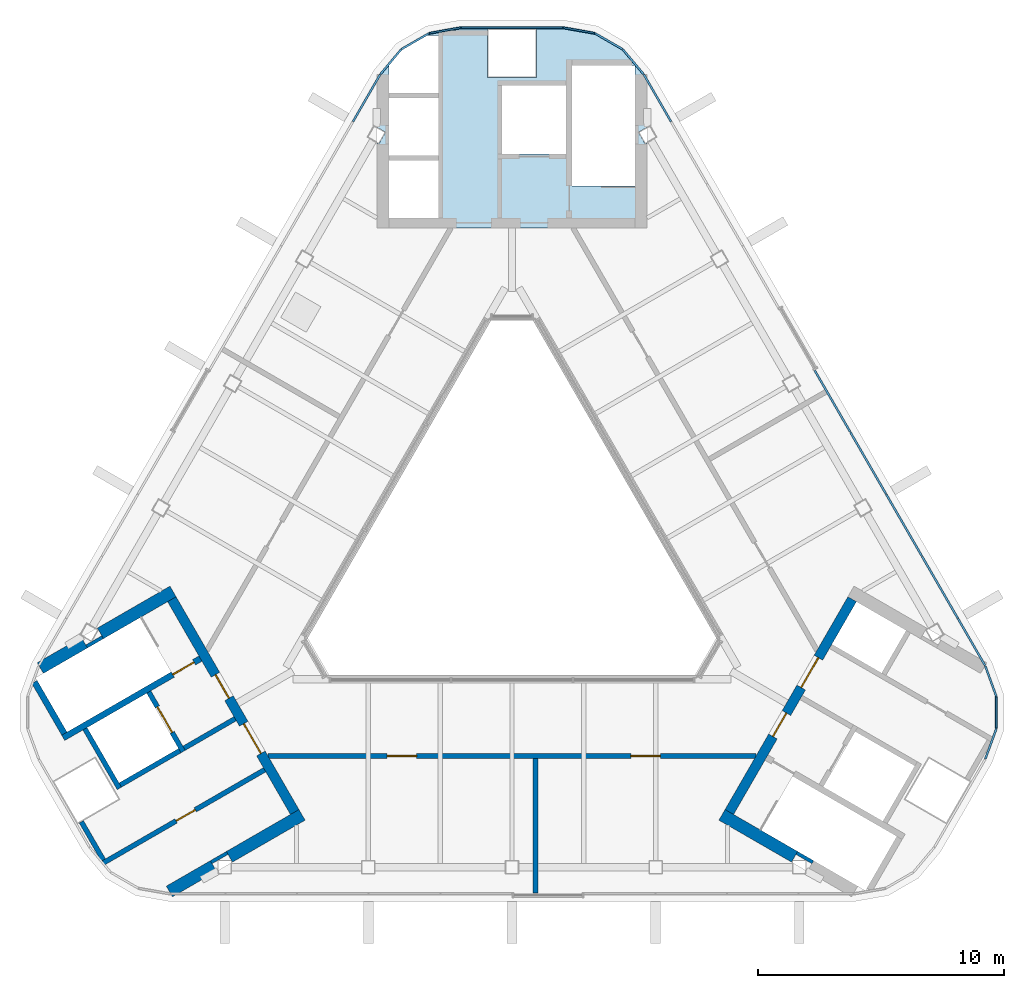
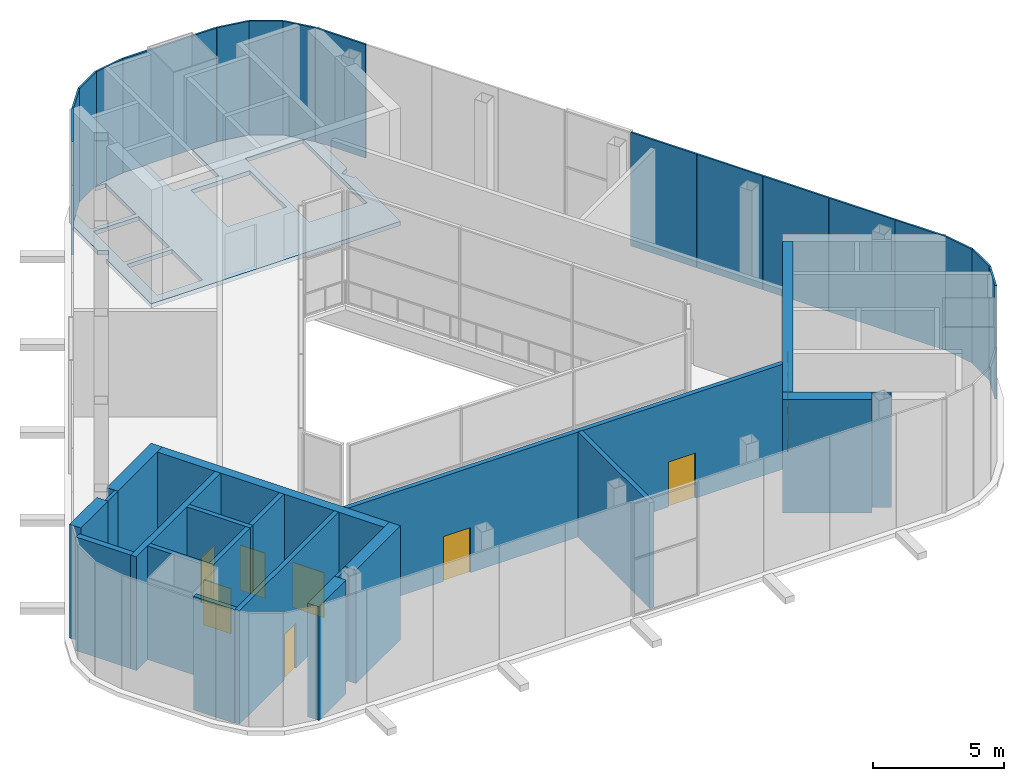
# One storey, part 6 of 9: 20 walls, 17 plates, 9 doors, 1 slab, 9 openings.
"""IFC4 building model written with IfcOpenShell, lengths in metres."""

from ifc_helpers import new_model, si_unit, direction, frame, frame_2d, origin, origin_2d, place, context, subcontext, project, spatial, polyline, rectangle, outline, extrude, material, layer, layer_set, type_object, element, fill, save


model = new_model("IFC4")

# Units and contexts
model_context = context("Model", 3, precision=1e-05, world=origin(), true_north=direction((0.0, 1.0)))
body_context = subcontext(model_context, "Body", "Model", "MODEL_VIEW")
ifc_project = project(units=[si_unit("LENGTHUNIT", "METRE"), si_unit("AREAUNIT", "SQUARE_METRE"), si_unit("VOLUMEUNIT", "CUBIC_METRE"), si_unit("PLANEANGLEUNIT", "RADIAN"), si_unit("MASSUNIT", "GRAM", prefix="KILO")], contexts=[model_context])

# Site, building, storey
site_placement = place(None, origin())
site = spatial("IfcSite", under=ifc_project, at=site_placement, CompositionType="ELEMENT")
building_placement = place(site_placement, origin())
building = spatial("IfcBuilding", under=site, at=building_placement, Name="Apuvela Tower Hotel", CompositionType="ELEMENT")
storey_placement = place(building_placement, frame((0.0, 0.0, 343.300048828125)))
storey = spatial("IfcBuildingStorey", under=building, at=storey_placement, Name="R-1 ROOF", CompositionType="ELEMENT", Elevation=343.300048828125)

# Slab
ifc_material_1 = material(Name="Concrete C50/60", Category="concrete")
ifc_layer_1 = layer(ifc_material_1, 0.199951171875)
ifc_layer_set_1 = layer_set([ifc_layer_1], Name="COR-FLOOR-200")
slab_type = type_object("IfcSlabType", Name="COR-FLOOR-200", PredefinedType="FLOOR", material=ifc_layer_set_1)
slab_placement = place(storey_placement, frame((0.0, 0.0, -0.199951171875)))
element("IfcSlab", 1, at=slab_placement, inside=storey, type_object=slab_type, Name="Core floor N", PredefinedType="FLOOR", context=body_context, shape_type="SweptSolid", body=[
    extrude(outline(polyline([(5.4208984375, 16.31298828125), (5.14599609375, 16.789306640625), (5.5, 16.993896484375), (5.5, 18.826171875), (5.330322265625, 19.119873046875), (4.481201171875, 20.1318359375), (3.364013671875, 20.777099609375), (2.06298828125, 21.00634765625), (1.0, 21.00634765625), (1.0, 19.00634765625), (-1.0, 19.00634765625), (-1.0, 21.00634765625), (-2.06298828125, 21.00634765625), (-3.364013671875, 20.777099609375), (-3.462646484375, 20.719970703125), (-3.0, 20.719970703125), (-3.0, 18.3798828125), (-5.0, 18.3798828125), (-5.0, 19.513671875), (-5.330322265625, 19.119873046875), (-5.5, 18.826171875), (-5.5, 16.993896484375), (-5.14599609375, 16.789306640625), (-5.4208984375, 16.31298828125), (-5.5, 16.358642578125), (-5.5, 12.89990234375), (5.5, 12.89990234375), (5.5, 16.358642578125), (5.4208984375, 16.31298828125)]), holes=[polyline([(-3.0, 13.300048828125), (-5.0, 13.300048828125), (-5.0, 15.639892578125), (-3.0, 15.639892578125), (-3.0, 13.300048828125)]), polyline([(-3.0, 15.840087890625), (-5.0, 15.840087890625), (-5.0, 18.179931640625), (-3.0, 18.179931640625), (-3.0, 15.840087890625)]), polyline([(5.0, 14.60595703125), (2.449951171875, 14.60595703125), (2.449951171875, 19.5), (5.0, 19.5), (5.0, 14.60595703125)]), polyline([(2.199951171875, 18.699951171875), (2.199951171875, 15.89990234375), (-0.39990234375, 15.89990234375), (-0.39990234375, 18.699951171875), (2.199951171875, 18.699951171875)])]), origin(), (0.0, 0.0, 1.0), 0.199951171875),
])

# Plates
ifc_material_2 = material(Name="Aluminium 6063-T6, black anodised perforated panel", Category="aluminium")
ifc_layer_2 = layer(ifc_material_2, 0.080078125)
ifc_layer_set_2 = layer_set([ifc_layer_2], Name="ENV-CROWN-SCREEN-80")
plate_type = type_object("IfcPlateType", Name="ENV-CROWN-SCREEN-80", PredefinedType="SHEET", material=ifc_layer_set_2)
plate_1_placement = place(storey_placement, frame((3.942626953125, 20.489013671875, 0.0), z_axis=(0.0, 0.0, 1.0), x_axis=(-0.866025403784, 0.5, 0.0)))
element("IfcPlate", 2, at=plate_1_placement, inside=storey, type_object=plate_type, Name="Crown screen 1", PredefinedType="SHEET", context=body_context, shape_type="SweptSolid", body=[
    extrude(rectangle(XDim=1.2841796875, YDim=0.080078125, at=origin_2d()), origin(), (0.0, 0.0, 1.0), 5.300048828125),
])
plate_2_placement = place(storey_placement, frame((2.72216796875, 20.930908203125, 0.0), z_axis=(0.0, 0.0, 1.0), x_axis=(-0.984807753012, 0.173648177667, 0.0)))
element("IfcPlate", 3, at=plate_2_placement, inside=storey, type_object=plate_type, Name="Crown screen 2", PredefinedType="SHEET", context=body_context, shape_type="SweptSolid", body=[
    extrude(rectangle(XDim=1.311767578125, YDim=0.080078125, at=origin_2d()), origin(), (0.0, 0.0, 1.0), 5.300048828125),
])
plate_3_placement = place(storey_placement, frame((0.0, 21.04638671875, 0.0), z_axis=(0.0, 0.0, 1.0), x_axis=(-1.0, 0.0, 0.0)))
element("IfcPlate", 4, at=plate_3_placement, inside=storey, type_object=plate_type, Name="Crown screen 3", PredefinedType="SHEET", context=body_context, shape_type="SweptSolid", body=[
    extrude(rectangle(XDim=4.11279296875, YDim=0.080078125, at=origin_2d()), origin(), (0.0, 0.0, 1.0), 5.300048828125),
])
plate_4_placement = place(storey_placement, frame((-2.72216796875, 20.930908203125, 0.0), z_axis=(0.0, 0.0, 1.0), x_axis=(-0.984807753012, -0.173648177667, 0.0)))
element("IfcPlate", 5, at=plate_4_placement, inside=storey, type_object=plate_type, Name="Crown screen 4", PredefinedType="SHEET", context=body_context, shape_type="SweptSolid", body=[
    extrude(rectangle(XDim=1.311767578125, YDim=0.080078125, at=origin_2d()), origin(), (0.0, 0.0, 1.0), 5.300048828125),
])
plate_5_placement = place(storey_placement, frame((-3.942626953125, 20.489013671875, 0.0), z_axis=(0.0, 0.0, 1.0), x_axis=(-0.866025403784, -0.5, 0.0)))
element("IfcPlate", 6, at=plate_5_placement, inside=storey, type_object=plate_type, Name="Crown screen 5", PredefinedType="SHEET", context=body_context, shape_type="SweptSolid", body=[
    extrude(rectangle(XDim=1.2841796875, YDim=0.080078125, at=origin_2d()), origin(), (0.0, 0.0, 1.0), 5.300048828125),
])
plate_6_placement = place(storey_placement, frame((-4.935302734375, 19.653076171875, 0.0), z_axis=(0.0, 0.0, 1.0), x_axis=(-0.642787609687, -0.766044443119, 0.0)))
element("IfcPlate", 7, at=plate_6_placement, inside=storey, type_object=plate_type, Name="Crown screen 6", PredefinedType="SHEET", context=body_context, shape_type="SweptSolid", body=[
    extrude(rectangle(XDim=1.311767578125, YDim=0.080078125, at=origin_2d()), origin(), (0.0, 0.0, 1.0), 5.300048828125),
])
plate_7_placement = place(storey_placement, frame((-5.920166015625, 18.178466796875, 0.0), z_axis=(0.0, 0.0, 1.0), x_axis=(-0.5, -0.866025403784, 0.0)))
element("IfcPlate", 8, at=plate_7_placement, inside=storey, type_object=plate_type, Name="Crown screen 7", PredefinedType="SHEET", context=body_context, shape_type="SweptSolid", body=[
    extrude(rectangle(XDim=2.20751953125, YDim=0.080078125, at=origin_2d()), origin(), (0.0, 0.0, 1.0), 5.300048828125),
])
plate_8_placement = place(storey_placement, frame((19.487548828125, -8.10791015625, 0.0), z_axis=(0.0, 0.0, 1.0), x_axis=(0.342020143326, 0.939692620786, 0.0)))
element("IfcPlate", 9, at=plate_8_placement, inside=storey, type_object=plate_type, Name="Crown screen 38", PredefinedType="SHEET", context=body_context, shape_type="SweptSolid", body=[
    extrude(rectangle(XDim=1.311767578125, YDim=0.080078125, at=origin_2d()), origin(), (0.0, 0.0, 1.0), 5.300048828125),
])
plate_9_placement = place(storey_placement, frame((19.71533203125, -6.830078125, 0.0), z_axis=(0.0, 0.0, 1.0), x_axis=(0.0, 1.0, 0.0)))
element("IfcPlate", 10, at=plate_9_placement, inside=storey, type_object=plate_type, Name="Crown screen 39", PredefinedType="SHEET", context=body_context, shape_type="SweptSolid", body=[
    extrude(rectangle(XDim=1.2841796875, YDim=0.080078125, at=origin_2d()), origin(), (0.0, 0.0, 1.0), 5.300048828125),
])
plate_10_placement = place(storey_placement, frame((19.487548828125, -5.552490234375, 0.0), z_axis=(0.0, 0.0, 1.0), x_axis=(-0.342020143326, 0.939692620786, 0.0)))
element("IfcPlate", 11, at=plate_10_placement, inside=storey, type_object=plate_type, Name="Crown screen 40", PredefinedType="SHEET", context=body_context, shape_type="SweptSolid", body=[
    extrude(rectangle(XDim=1.311767578125, YDim=0.080078125, at=origin_2d()), origin(), (0.0, 0.0, 1.0), 5.300048828125),
])
plate_11_placement = place(storey_placement, frame((18.702880859375, -3.962158203125, 0.0), z_axis=(0.0, 0.0, 1.0), x_axis=(-0.5, 0.866025403784, 0.0)))
element("IfcPlate", 12, at=plate_11_placement, inside=storey, type_object=plate_type, Name="Crown screen 41", PredefinedType="SHEET", context=body_context, shape_type="SweptSolid", body=[
    extrude(rectangle(XDim=2.20751953125, YDim=0.080078125, at=origin_2d()), origin(), (0.0, 0.0, 1.0), 5.300048828125),
])
for number, where, z_axis, x_axis, name in (
    (13, (17.4169921875, -1.734619140625, 0.0), (0.0, 0.0, 1.0), (-0.5, 0.866025403784, 0.0), "Crown screen 42"),
    (14, (15.958251953125, 0.7919921875, 0.0), (0.0, 0.0, 1.0), (-0.5, 0.866025403784, 0.0), "Crown screen 43"),
    (15, (14.49951171875, 3.318359375, 0.0), (0.0, 0.0, 1.0), (-0.5, 0.866025403784, 0.0), "Crown screen 44"),
    (16, (13.041015625, 5.844970703125, 0.0), (0.0, 0.0, 1.0), (-0.5, 0.866025403784, 0.0), "Crown screen 45"),
):
    element("IfcPlate", number, at=place(storey_placement, frame(where, z_axis=z_axis, x_axis=x_axis)), inside=storey, type_object=plate_type, Name=name, PredefinedType="SHEET", context=body_context, shape_type="SweptSolid", body=[
        extrude(rectangle(XDim=2.897216796875, YDim=0.080078125, at=origin_2d()), origin(), (0.0, 0.0, 1.0), 5.300048828125),
    ])
plate_12_placement = place(storey_placement, frame((5.920166015625, 18.178466796875, 0.0), z_axis=(0.0, 0.0, 1.0), x_axis=(-0.5, 0.866025403784, 0.0)))
element("IfcPlate", 17, at=plate_12_placement, inside=storey, type_object=plate_type, Name="Crown screen 50", PredefinedType="SHEET", context=body_context, shape_type="SweptSolid", body=[
    extrude(rectangle(XDim=2.20751953125, YDim=0.080078125, at=origin_2d()), origin(), (0.0, 0.0, 1.0), 5.300048828125),
])
plate_13_placement = place(storey_placement, frame((4.935302734375, 19.653076171875, 0.0), z_axis=(0.0, 0.0, 1.0), x_axis=(-0.642787609687, 0.766044443119, 0.0)))
element("IfcPlate", 18, at=plate_13_placement, inside=storey, type_object=plate_type, Name="Crown screen 51", PredefinedType="SHEET", context=body_context, shape_type="SweptSolid", body=[
    extrude(rectangle(XDim=1.311767578125, YDim=0.080078125, at=origin_2d()), origin(), (0.0, 0.0, 1.0), 5.300048828125),
])

# Walls
ifc_layer_3 = layer(ifc_material_1, 0.139892578125)
ifc_layer_set_3 = layer_set([ifc_layer_3], Name="COR-WALL-CORE-140")
wall_type_1 = type_object("IfcWallType", Name="COR-WALL-CORE-140", PredefinedType="SHEAR", material=ifc_layer_set_3)
wall_1_placement = place(storey_placement, frame((-16.66259765625, -3.765869140625, 0.0), z_axis=(0.0, 0.0, 1.0), x_axis=(-0.86603400694, -0.499985098601, 0.0)))
element("IfcWall", 19, at=wall_1_placement, inside=storey, type_object=wall_type_1, Name="Core wall SW", PredefinedType="SHEAR", context=body_context, shape_type="SweptSolid", body=[
    extrude(rectangle(XDim=0.7509765625, YDim=0.139892578125, at=frame_2d((0.37548828125, 0.0))), origin(), (0.0, 0.0, 1.0), 5.300048828125),
])
for number, where, z_axis, x_axis, name in (
    (20, (-11.592529296875, -12.54736328125, 0.0), (0.0, 0.0, 1.0), (-0.866115239748, -0.499844367254, 0.0), "Core wall SW"),
    (21, (11.592529296875, -12.54736328125, 0.0), (0.0, 0.0, 1.0), (0.866115239748, -0.499844367254, 0.0), "Core wall SE"),
):
    element("IfcWall", number, at=place(storey_placement, frame(where, z_axis=z_axis, x_axis=x_axis)), inside=storey, type_object=wall_type_1, Name=name, PredefinedType="SHEAR", context=body_context, shape_type="SweptSolid", body=[
        extrude(rectangle(XDim=0.751220703125, YDim=0.139892578125, at=frame_2d((0.37548828125, 0.0))), origin(), (0.0, 0.0, 1.0), 5.300048828125),
    ])

# Wall, openings, doors
ifc_layer_4 = layer(ifc_material_1, 0.39990234375)
ifc_layer_set_4 = layer_set([ifc_layer_4], Name="COR-WALL-CORE-400")
wall_type_2 = type_object("IfcWallType", Name="COR-WALL-CORE-400", PredefinedType="SHEAR", material=ifc_layer_set_4)
wall_2_placement = place(storey_placement, frame((-13.844970703125, -2.219970703125, 0.0), z_axis=(0.0, 0.0, 1.0), x_axis=(0.500004234368, -0.866022959057, 0.0)))
wall_2 = element("IfcWall", 22, at=wall_2_placement, inside=storey, type_object=wall_type_2, Name="Core wall SW", PredefinedType="SHEAR", context=body_context, shape_type="SweptSolid", body=[
    extrude(rectangle(XDim=10.0, YDim=0.39990234375, at=frame_2d((5.0, 0.0))), origin(), (0.0, 0.0, 1.0), 5.300048828125),
])
opening_1_placement = place(wall_2_placement, frame((3.550048828125, 0.0, 0.0)))
opening_1 = element("IfcOpeningElement", 23, at=opening_1_placement, cuts=wall_2, Name="Opening W-FD", PredefinedType="OPENING", context=body_context, shape_type="SweptSolid", body=[
    extrude(rectangle(XDim=1.10009765625, YDim=2.10009765625, at=frame_2d((0.550048828125, 1.050048828125))), frame((0.0, 0.2099609375, 0.0), z_axis=(0.0, -1.0, 0.0), x_axis=(1.0, 0.0, 0.0)), (0.0, 0.0, 1.0), 0.419921875),
])
opening_2_placement = place(wall_2_placement, frame((5.85009765625, 0.0, 0.0)))
opening_2 = element("IfcOpeningElement", 24, at=opening_2_placement, cuts=wall_2, Name="Opening W-GD", PredefinedType="OPENING", context=body_context, shape_type="SweptSolid", body=[
    extrude(rectangle(XDim=1.39990234375, YDim=2.10009765625, at=frame_2d((0.699951171875, 1.050048828125))), frame((0.0, 0.2099609375, 0.0), z_axis=(0.0, -1.0, 0.0), x_axis=(1.0, 0.0, 0.0)), (0.0, 0.0, 1.0), 0.419921875),
])
ifc_material_3 = material(Name="Steel fire door, powder coated", Category="steel")
door_type_1 = type_object("IfcDoorType", Name="COR-FD-1100", OperationType="NOTDEFINED", PredefinedType="DOOR", material=ifc_material_3)
door_1_placement = place(opening_1_placement, frame((1.10009765625, 0.0, 0.0), z_axis=(0.0, 0.0, 1.0), x_axis=(-1.0, 0.0, 0.0)))
door_1 = element("IfcDoor", 25, at=door_1_placement, inside=storey, type_object=door_type_1, Name="Firefighting lobby door W-FD", OperationType="SINGLE_SWING_LEFT", OverallHeight=2.10009765625, OverallWidth=1.10009765625, PredefinedType="DOOR", context=body_context, shape_type="SweptSolid", body=[
    extrude(rectangle(XDim=1.10009765625, YDim=2.10009765625, at=frame_2d((0.550048828125, 1.050048828125))), frame((0.0, 0.02490234375, 0.0), z_axis=(0.0, -1.0, 0.0), x_axis=(1.0, 0.0, 0.0)), (0.0, 0.0, 1.0), 0.050048828125),
])
fill(opening_1, door_1)
ifc_material_4 = material(Name="Glazed steel fire door", Category="steel")
door_type_2 = type_object("IfcDoorType", Name="COR-GD-1400", OperationType="DOUBLE_DOOR_SINGLE_SWING", PredefinedType="DOOR", material=ifc_material_4)
door_2_placement = place(opening_2_placement, frame((1.39990234375, 0.0, 0.0), z_axis=(0.0, 0.0, 1.0), x_axis=(-1.0, 0.0, 0.0)))
door_2 = element("IfcDoor", 26, at=door_2_placement, inside=storey, type_object=door_type_2, Name="Lift lobby door W-GD", OperationType="DOUBLE_DOOR_SINGLE_SWING", OverallHeight=2.10009765625, OverallWidth=1.39990234375, PredefinedType="DOOR", context=body_context, shape_type="SweptSolid", body=[
    extrude(rectangle(XDim=1.39990234375, YDim=2.10009765625, at=frame_2d((0.699951171875, 1.050048828125))), frame((0.0, 0.02490234375, 0.0), z_axis=(0.0, -1.0, 0.0), x_axis=(1.0, 0.0, 0.0)), (0.0, 0.0, 1.0), 0.050048828125),
])
fill(opening_2, door_2)

wall_3_placement = place(storey_placement, frame((8.844970703125, -10.880126953125, 0.0), z_axis=(0.0, 0.0, 1.0), x_axis=(0.500004234368, 0.866022959057, 0.0)))
wall_3 = element("IfcWall", 27, at=wall_3_placement, inside=storey, type_object=wall_type_2, Name="Core wall SE", PredefinedType="SHEAR", context=body_context, shape_type="SweptSolid", body=[
    extrude(rectangle(XDim=10.0, YDim=0.39990234375, at=frame_2d((5.0, 0.0))), origin(), (0.0, 0.0, 1.0), 5.300048828125),
])
opening_3_placement = place(wall_3_placement, frame((3.550048828125, 0.0, 0.0)))
opening_3 = element("IfcOpeningElement", 28, at=opening_3_placement, cuts=wall_3, Name="Opening E-FD", PredefinedType="OPENING", context=body_context, shape_type="SweptSolid", body=[
    extrude(rectangle(XDim=1.10009765625, YDim=2.10009765625, at=frame_2d((0.550048828125, 1.050048828125))), frame((0.0, 0.2099609375, 0.0), z_axis=(0.0, -1.0, 0.0), x_axis=(1.0, 0.0, 0.0)), (0.0, 0.0, 1.0), 0.419921875),
])
opening_4_placement = place(wall_3_placement, frame((5.85009765625, 0.0, 0.0)))
opening_4 = element("IfcOpeningElement", 29, at=opening_4_placement, cuts=wall_3, Name="Opening E-GD", PredefinedType="OPENING", context=body_context, shape_type="SweptSolid", body=[
    extrude(rectangle(XDim=1.39990234375, YDim=2.10009765625, at=frame_2d((0.699951171875, 1.050048828125))), frame((0.0, 0.2099609375, 0.0), z_axis=(0.0, -1.0, 0.0), x_axis=(1.0, 0.0, 0.0)), (0.0, 0.0, 1.0), 0.419921875),
])
door_3_placement = place(opening_3_placement, frame((1.10009765625, 0.0, 0.0), z_axis=(0.0, 0.0, 1.0), x_axis=(-1.0, 0.0, 0.0)))
door_3 = element("IfcDoor", 30, at=door_3_placement, inside=storey, type_object=door_type_1, Name="Firefighting lobby door E-FD", OperationType="SINGLE_SWING_LEFT", OverallHeight=2.10009765625, OverallWidth=1.10009765625, PredefinedType="DOOR", context=body_context, shape_type="SweptSolid", body=[
    extrude(rectangle(XDim=1.10009765625, YDim=2.10009765625, at=frame_2d((0.550048828125, 1.050048828125))), frame((0.0, 0.02490234375, 0.0), z_axis=(0.0, -1.0, 0.0), x_axis=(1.0, 0.0, 0.0)), (0.0, 0.0, 1.0), 0.050048828125),
])
fill(opening_3, door_3)
door_4_placement = place(opening_4_placement, frame((1.39990234375, 0.0, 0.0), z_axis=(0.0, 0.0, 1.0), x_axis=(-1.0, 0.0, 0.0)))
door_4 = element("IfcDoor", 31, at=door_4_placement, inside=storey, type_object=door_type_2, Name="Lift lobby door E-GD", OperationType="DOUBLE_DOOR_SINGLE_SWING", OverallHeight=2.10009765625, OverallWidth=1.39990234375, PredefinedType="DOOR", context=body_context, shape_type="SweptSolid", body=[
    extrude(rectangle(XDim=1.39990234375, YDim=2.10009765625, at=frame_2d((0.699951171875, 1.050048828125))), frame((0.0, 0.02490234375, 0.0), z_axis=(0.0, -1.0, 0.0), x_axis=(1.0, 0.0, 0.0)), (0.0, 0.0, 1.0), 0.050048828125),
])
fill(opening_4, door_4)

# Walls
ifc_layer_5 = layer(ifc_material_1, 0.5)
ifc_layer_set_5 = layer_set([ifc_layer_5], Name="COR-WALL-CORE-500")
wall_type_3 = type_object("IfcWallType", Name="COR-WALL-CORE-500", PredefinedType="SHEAR", material=ifc_layer_set_5)
wall_4_placement = place(storey_placement, frame((-13.796630859375, -1.9033203125, 0.0), z_axis=(0.0, 0.0, 1.0), x_axis=(-0.866024775297, -0.500001088571, 0.0)))
element("IfcWall", 32, at=wall_4_placement, inside=storey, type_object=wall_type_3, Name="Core wall SW", PredefinedType="SHEAR", context=body_context, shape_type="SweptSolid", body=[
    extrude(rectangle(XDim=3.4130859375, YDim=0.5, at=frame_2d((1.70654296875, 0.0))), origin(), (0.0, 0.0, 1.0), 5.300048828125),
])
wall_5_placement = place(storey_placement, frame((-17.403076171875, -3.985595703125, 0.0), z_axis=(0.0, 0.0, 1.0), x_axis=(-0.866044274939, -0.499967312778, 0.0)))
element("IfcWall", 33, at=wall_5_placement, inside=storey, type_object=wall_type_3, Name="Core wall SW", PredefinedType="SHEAR", context=body_context, shape_type="SweptSolid", body=[
    extrude(rectangle(XDim=2.071533203125, YDim=0.5, at=frame_2d((1.03564453125, 0.0))), origin(), (0.0, 0.0, 1.0), 5.300048828125),
])
wall_6_placement = place(storey_placement, frame((-8.546630859375, -10.99658203125, 0.0), z_axis=(0.0, 0.0, 1.0), x_axis=(-0.866024775297, -0.500001088571, 0.0)))
element("IfcWall", 34, at=wall_6_placement, inside=storey, type_object=wall_type_3, Name="Core wall SW", PredefinedType="SHEAR", context=body_context, shape_type="SweptSolid", body=[
    extrude(rectangle(XDim=3.4130859375, YDim=0.5, at=frame_2d((1.70654296875, 0.0))), origin(), (0.0, 0.0, 1.0), 5.300048828125),
])
wall_7_placement = place(storey_placement, frame((-12.153076171875, -13.078857421875, 0.0), z_axis=(0.0, 0.0, 1.0), x_axis=(-0.866044274939, -0.499967312778, 0.0)))
element("IfcWall", 35, at=wall_7_placement, inside=storey, type_object=wall_type_3, Name="Core wall SW", PredefinedType="SHEAR", context=body_context, shape_type="SweptSolid", body=[
    extrude(rectangle(XDim=2.071533203125, YDim=0.5, at=frame_2d((1.03564453125, 0.0))), origin(), (0.0, 0.0, 1.0), 5.300048828125),
])
wall_8_placement = place(storey_placement, frame((8.546630859375, -10.99658203125, 0.0), z_axis=(0.0, 0.0, 1.0), x_axis=(0.866024775297, -0.500001088571, 0.0)))
element("IfcWall", 36, at=wall_8_placement, inside=storey, type_object=wall_type_3, Name="Core wall SE", PredefinedType="SHEAR", context=body_context, shape_type="SweptSolid", body=[
    extrude(rectangle(XDim=3.4130859375, YDim=0.5, at=frame_2d((1.70654296875, 0.0))), origin(), (0.0, 0.0, 1.0), 5.300048828125),
])
ifc_layer_6 = layer(ifc_material_1, 0.199951171875)
ifc_layer_set_6 = layer_set([ifc_layer_6], Name="COR-WALL-SHAFT-200")
wall_type_4 = type_object("IfcWallType", Name="COR-WALL-SHAFT-200", PredefinedType="SHEAR", material=ifc_layer_set_6)
wall_9_placement = place(storey_placement, frame((-17.38134765625, -7.49462890625, 0.0), z_axis=(0.0, 0.0, 1.0), x_axis=(0.500011755427, -0.866018616679, 0.0)))
element("IfcWall", 37, at=wall_9_placement, inside=storey, type_object=wall_type_4, Name="Shaft wall SW", PredefinedType="SHEAR", context=body_context, shape_type="SweptSolid", body=[
    extrude(rectangle(XDim=2.80029296875, YDim=0.199951171875, at=frame_2d((1.400146484375, 0.0))), origin(), (0.0, 0.0, 1.0), 5.300048828125),
])

# Wall, opening, door
wall_10_placement = place(storey_placement, frame((-14.783203125, -5.99462890625, 0.0), z_axis=(0.0, 0.0, 1.0), x_axis=(0.49994636267, -0.866056369097, 0.0)))
wall_10 = element("IfcWall", 38, at=wall_10_placement, inside=storey, type_object=wall_type_4, Name="Shaft wall SW", PredefinedType="SHEAR", context=body_context, shape_type="SweptSolid", body=[
    extrude(rectangle(XDim=2.800048828125, YDim=0.199951171875, at=frame_2d((1.39990234375, 0.0))), origin(), (0.0, 0.0, 1.0), 5.300048828125),
])
opening_5_placement = place(wall_10_placement, frame((0.699951171875, 0.0, 0.0)))
opening_5 = element("IfcOpeningElement", 39, at=opening_5_placement, cuts=wall_10, Name="Opening W-LD-FS2", PredefinedType="OPENING", context=body_context, shape_type="SweptSolid", body=[
    extrude(rectangle(XDim=1.199951171875, YDim=2.10009765625, at=frame_2d((0.60009765625, 1.050048828125))), frame((0.0, 0.10986328125, 0.0), z_axis=(0.0, -1.0, 0.0), x_axis=(1.0, 0.0, 0.0)), (0.0, 0.0, 1.0), 0.219970703125),
])
ifc_material_5 = material(Name="Stainless steel lift landing door", Category="steel")
door_type_3 = type_object("IfcDoorType", Name="COR-LD-1200", OperationType="DOUBLE_DOOR_SLIDING", PredefinedType="DOOR", material=ifc_material_5)
door_5_placement = place(opening_5_placement, origin())
door_5 = element("IfcDoor", 40, at=door_5_placement, inside=storey, type_object=door_type_3, Name="Lift landing door W-LD-FS2", OperationType="DOUBLE_DOOR_SLIDING", OverallHeight=2.10009765625, OverallWidth=1.199951171875, PredefinedType="DOOR", context=body_context, shape_type="SweptSolid", body=[
    extrude(rectangle(XDim=1.199951171875, YDim=2.10009765625, at=frame_2d((0.60009765625, 1.050048828125))), frame((0.0, 0.02490234375, 0.0), z_axis=(0.0, -1.0, 0.0), x_axis=(1.0, 0.0, 0.0)), (0.0, 0.0, 1.0), 0.050048828125),
])
fill(opening_5, door_5)

# Walls
wall_11_placement = place(storey_placement, frame((-13.519775390625, -8.383056640625, 0.0), z_axis=(0.0, 0.0, 1.0), x_axis=(-0.866034573852, -0.49998411664, 0.0)))
element("IfcWall", 41, at=wall_11_placement, inside=storey, type_object=wall_type_4, Name="Shaft wall SW", PredefinedType="SHEAR", context=body_context, shape_type="SweptSolid", body=[
    extrude(rectangle(XDim=2.7998046875, YDim=0.199951171875, at=frame_2d((1.39990234375, 0.0))), origin(), (0.0, 0.0, 1.0), 5.300048828125),
])
wall_12_placement = place(storey_placement, frame((-11.26806640625, -7.0830078125, 0.0), z_axis=(0.0, 0.0, 1.0), x_axis=(-0.866050077142, -0.499957262057, 0.0)))
element("IfcWall", 42, at=wall_12_placement, inside=storey, type_object=wall_type_4, Name="Shaft wall SW", PredefinedType="SHEAR", context=body_context, shape_type="SweptSolid", body=[
    extrude(rectangle(XDim=2.400146484375, YDim=0.199951171875, at=frame_2d((1.2001953125, 0.0))), origin(), (0.0, 0.0, 1.0), 5.300048828125),
])

# Wall, opening, door
wall_13_placement = place(storey_placement, frame((-10.068115234375, -9.16162109375, 0.0), z_axis=(0.0, 0.0, 1.0), x_axis=(-0.86602942914, -0.499993027815, 0.0)))
wall_13 = element("IfcWall", 43, at=wall_13_placement, inside=storey, type_object=wall_type_4, Name="Shaft wall SW", PredefinedType="SHEAR", context=body_context, shape_type="SweptSolid", body=[
    extrude(rectangle(XDim=7.576171875, YDim=0.199951171875, at=frame_2d((3.7880859375, 0.0))), origin(), (0.0, 0.0, 1.0), 5.300048828125),
])
opening_6_placement = place(wall_13_placement, frame((3.260009765625, 0.0, 0.0)))
opening_6 = element("IfcOpeningElement", 44, at=opening_6_placement, cuts=wall_13, Name="Opening W-RE1", PredefinedType="OPENING", context=body_context, shape_type="SweptSolid", body=[
    extrude(rectangle(XDim=0.89990234375, YDim=2.10009765625, at=frame_2d((0.449951171875, 1.050048828125))), frame((0.0, 0.10986328125, 0.0), z_axis=(0.0, -1.0, 0.0), x_axis=(1.0, 0.0, 0.0)), (0.0, 0.0, 1.0), 0.219970703125),
])
door_type_4 = type_object("IfcDoorType", Name="COR-DR-900", OperationType="NOTDEFINED", PredefinedType="DOOR", material=ifc_material_3)
door_6_placement = place(opening_6_placement, origin())
door_6 = element("IfcDoor", 45, at=door_6_placement, inside=storey, type_object=door_type_4, Name="Store door W-RE1", OperationType="SINGLE_SWING_LEFT", OverallHeight=2.10009765625, OverallWidth=0.89990234375, PredefinedType="DOOR", context=body_context, shape_type="SweptSolid", body=[
    extrude(rectangle(XDim=0.89990234375, YDim=2.10009765625, at=frame_2d((0.449951171875, 1.050048828125))), frame((0.0, 0.02490234375, 0.0), z_axis=(0.0, -1.0, 0.0), x_axis=(1.0, 0.0, 0.0)), (0.0, 0.0, 1.0), 0.050048828125),
])
fill(opening_6, door_6)

# Wall
wall_14_placement = place(storey_placement, frame((-17.530517578125, -11.27587890625, 0.0), z_axis=(0.0, 0.0, 1.0), x_axis=(0.499902469156, -0.866081705922, 0.0)))
element("IfcWall", 46, at=wall_14_placement, inside=storey, type_object=wall_type_4, Name="Shaft wall SW", PredefinedType="SHEAR", context=body_context, shape_type="SweptSolid", body=[
    extrude(rectangle(XDim=1.800048828125, YDim=0.199951171875, at=frame_2d((0.89990234375, 0.0))), origin(), (0.0, 0.0, 1.0), 5.300048828125),
])

# Wall, opening, door
ifc_layer_7 = layer(ifc_material_1, 0.25)
ifc_layer_set_7 = layer_set([ifc_layer_7], Name="COR-WALL-STAIR-250")
wall_type_5 = type_object("IfcWallType", Name="COR-WALL-STAIR-250", PredefinedType="SHEAR", material=ifc_layer_set_7)
wall_15_placement = place(storey_placement, frame((-12.6806640625, -4.636474609375, 0.0), z_axis=(0.0, 0.0, 1.0), x_axis=(-0.866021702275, -0.500006411147, 0.0)))
wall_15 = element("IfcWall", 47, at=wall_15_placement, inside=storey, type_object=wall_type_5, Name="Stair wall SW", PredefinedType="SHEAR", context=body_context, shape_type="SweptSolid", body=[
    extrude(rectangle(XDim=6.4501953125, YDim=0.25, at=frame_2d((3.22509765625, 0.0))), origin(), (0.0, 0.0, 1.0), 5.300048828125),
])
opening_7_placement = place(wall_15_placement, frame((0.300048828125, 0.0, 0.0)))
opening_7 = element("IfcOpeningElement", 48, at=opening_7_placement, cuts=wall_15, Name="Opening W-SD", PredefinedType="OPENING", context=body_context, shape_type="SweptSolid", body=[
    extrude(rectangle(XDim=1.0, YDim=2.10009765625, at=frame_2d((0.5, 1.050048828125))), frame((0.0, 0.135009765625, 0.0), z_axis=(0.0, -1.0, 0.0), x_axis=(1.0, 0.0, 0.0)), (0.0, 0.0, 1.0), 0.27001953125),
])
door_type_5 = type_object("IfcDoorType", Name="COR-SD-1000", OperationType="NOTDEFINED", PredefinedType="DOOR", material=ifc_material_3)
door_7_placement = place(opening_7_placement, frame((1.0, 0.0, 0.0), z_axis=(0.0, 0.0, 1.0), x_axis=(-1.0, 0.0, 0.0)))
door_7 = element("IfcDoor", 49, at=door_7_placement, inside=storey, type_object=door_type_5, Name="Stair door W-SD", OperationType="SINGLE_SWING_LEFT", OverallHeight=2.10009765625, OverallWidth=1.0, PredefinedType="DOOR", context=body_context, shape_type="SweptSolid", body=[
    extrude(rectangle(XDim=1.0, YDim=2.10009765625, at=frame_2d((0.5, 1.050048828125))), frame((0.0, 0.02490234375, 0.0), z_axis=(0.0, -1.0, 0.0), x_axis=(1.0, 0.0, 0.0)), (0.0, 0.0, 1.0), 0.050048828125),
])
fill(opening_7, door_7)

# Wall
wall_16_placement = place(storey_placement, frame((-19.435791015625, -5.586181640625, 0.0), z_axis=(0.0, 0.0, 1.0), x_axis=(0.500018134935, -0.866014933322, 0.0)))
element("IfcWall", 50, at=wall_16_placement, inside=storey, type_object=wall_type_5, Name="Stair wall SW", PredefinedType="SHEAR", context=body_context, shape_type="SweptSolid", body=[
    extrude(rectangle(XDim=2.43017578125, YDim=0.25, at=frame_2d((1.215087890625, 0.0))), origin(), (0.0, 0.0, 1.0), 5.300048828125),
])

# Wall, openings, doors
ifc_material_6 = material(Name="Fire-rated gypsum board partition on steel stud", Category="steel")
ifc_layer_8 = layer(ifc_material_6, 0.199951171875)
ifc_layer_set_8 = layer_set([ifc_layer_8], Name="SPC-WALL-CORRIDOR")
wall_type_6 = type_object("IfcWallType", Name="SPC-WALL-CORRIDOR", PredefinedType="PARTITIONING", material=ifc_layer_set_8)
wall_17_placement = place(storey_placement, frame((-9.930419921875, -8.60009765625, 0.0), z_axis=(0.0, 0.0, 1.0), x_axis=(1.0, 0.0, 0.0)))
wall_17 = element("IfcWall", 51, at=wall_17_placement, inside=storey, type_object=wall_type_6, Name="Wall RP-S-CW", PredefinedType="PARTITIONING", context=body_context, shape_type="SweptSolid", body=[
    extrude(rectangle(XDim=19.86083984375, YDim=0.199951171875, at=frame_2d((9.930419921875, 0.0))), origin(), (0.0, 0.0, 1.0), 4.89990234375),
])
opening_8_placement = place(wall_17_placement, frame((4.84619140625, 0.0, 0.0)))
opening_8 = element("IfcOpeningElement", 52, at=opening_8_placement, cuts=wall_17, Name="Opening RP-S05", PredefinedType="OPENING", context=body_context, shape_type="SweptSolid", body=[
    extrude(rectangle(XDim=1.199951171875, YDim=2.10009765625, at=frame_2d((0.60009765625, 1.050048828125))), frame((0.0, 0.10986328125, 0.0), z_axis=(0.0, -1.0, 0.0), x_axis=(1.0, 0.0, 0.0)), (0.0, 0.0, 1.0), 0.219970703125),
])
opening_9_placement = place(wall_17_placement, frame((14.764892578125, 0.0, 0.0)))
opening_9 = element("IfcOpeningElement", 53, at=opening_9_placement, cuts=wall_17, Name="Opening RP-S06", PredefinedType="OPENING", context=body_context, shape_type="SweptSolid", body=[
    extrude(rectangle(XDim=1.199951171875, YDim=2.10009765625, at=frame_2d((0.60009765625, 1.050048828125))), frame((0.0, 0.10986328125, 0.0), z_axis=(0.0, -1.0, 0.0), x_axis=(1.0, 0.0, 0.0)), (0.0, 0.0, 1.0), 0.219970703125),
])
ifc_material_7 = material(Name="Steel fire door leaf", Category="steel")
door_type_6 = type_object("IfcDoorType", Name="SPC-DOOR-1200-PLANT", OperationType="NOTDEFINED", PredefinedType="DOOR", material=ifc_material_7)
door_8_placement = place(opening_8_placement, frame((1.199951171875, 0.0, 0.0), z_axis=(0.0, 0.0, 1.0), x_axis=(-1.0, 0.0, 0.0)))
door_8 = element("IfcDoor", 54, at=door_8_placement, inside=storey, type_object=door_type_6, Name="RP-S05", OperationType="SINGLE_SWING_RIGHT", OverallHeight=2.10009765625, OverallWidth=1.199951171875, PredefinedType="DOOR", context=body_context, shape_type="SweptSolid", body=[
    extrude(rectangle(XDim=1.199951171875, YDim=2.10009765625, at=frame_2d((0.60009765625, 1.050048828125))), frame((0.0, 0.02490234375, 0.0), z_axis=(0.0, -1.0, 0.0), x_axis=(1.0, 0.0, 0.0)), (0.0, 0.0, 1.0), 0.050048828125),
])
fill(opening_8, door_8)
door_9_placement = place(opening_9_placement, frame((1.199951171875, 0.0, 0.0), z_axis=(0.0, 0.0, 1.0), x_axis=(-1.0, 0.0, 0.0)))
door_9 = element("IfcDoor", 55, at=door_9_placement, inside=storey, type_object=door_type_6, Name="RP-S06", OperationType="SINGLE_SWING_LEFT", OverallHeight=2.10009765625, OverallWidth=1.199951171875, PredefinedType="DOOR", context=body_context, shape_type="SweptSolid", body=[
    extrude(rectangle(XDim=1.199951171875, YDim=2.10009765625, at=frame_2d((0.60009765625, 1.050048828125))), frame((0.0, 0.02490234375, 0.0), z_axis=(0.0, -1.0, 0.0), x_axis=(1.0, 0.0, 0.0)), (0.0, 0.0, 1.0), 0.050048828125),
])
fill(opening_9, door_9)

# Wall
ifc_material_8 = material(Name="Reinforced blockwork B15", Category="masonry")
ifc_layer_9 = layer(ifc_material_8, 0.199951171875)
ifc_layer_set_9 = layer_set([ifc_layer_9], Name="SPC-WALL-PLANT")
wall_type_7 = type_object("IfcWallType", Name="SPC-WALL-PLANT", PredefinedType="PARTITIONING", material=ifc_layer_set_9)
wall_18_placement = place(storey_placement, frame((0.949951171875, -14.17626953125, 0.0), z_axis=(0.0, 0.0, 1.0), x_axis=(0.0, 1.0, 0.0)))
element("IfcWall", 56, at=wall_18_placement, inside=storey, type_object=wall_type_7, Name="Wall RP-S-P01", PredefinedType="PARTITIONING", context=body_context, shape_type="SweptSolid", body=[
    extrude(rectangle(XDim=5.476318359375, YDim=0.199951171875, at=frame_2d((2.73828125, 0.0))), origin(), (0.0, 0.0, 1.0), 4.909912109375),
])

save(model, "model.ifc")
